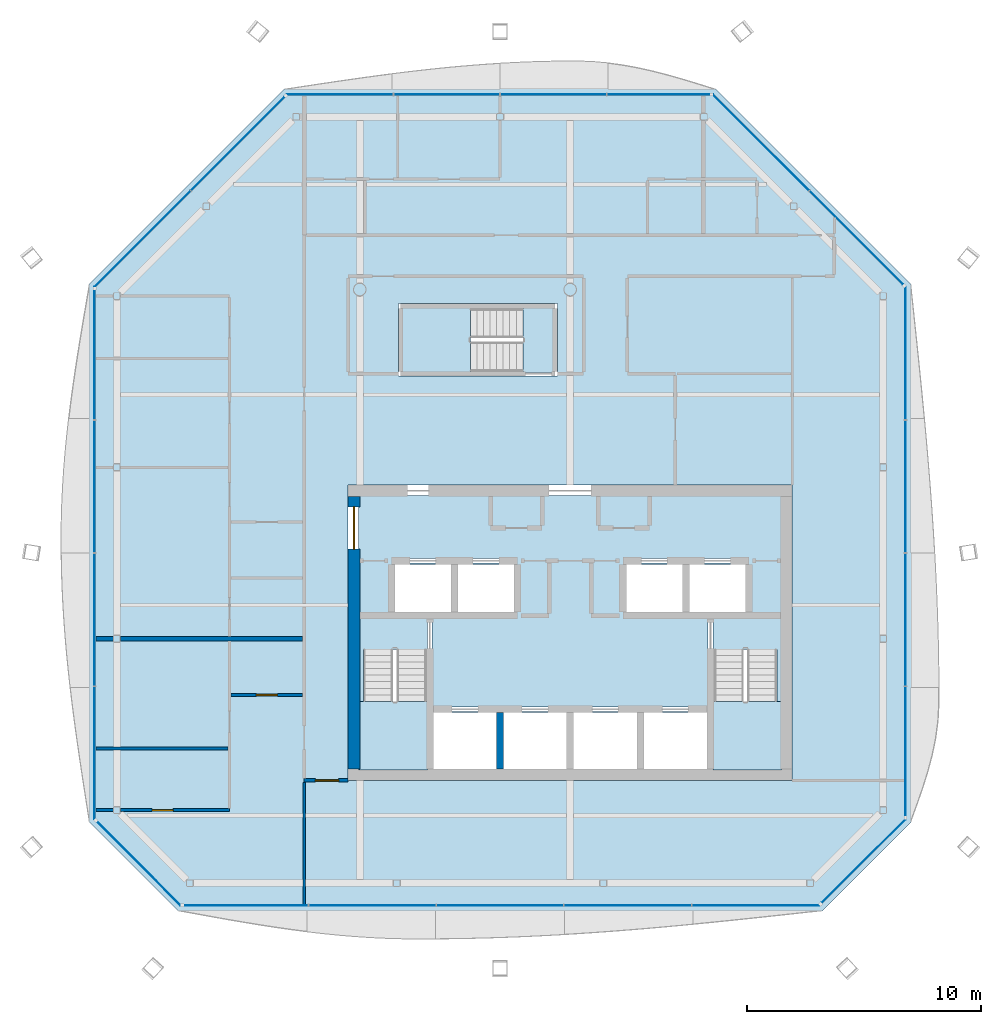
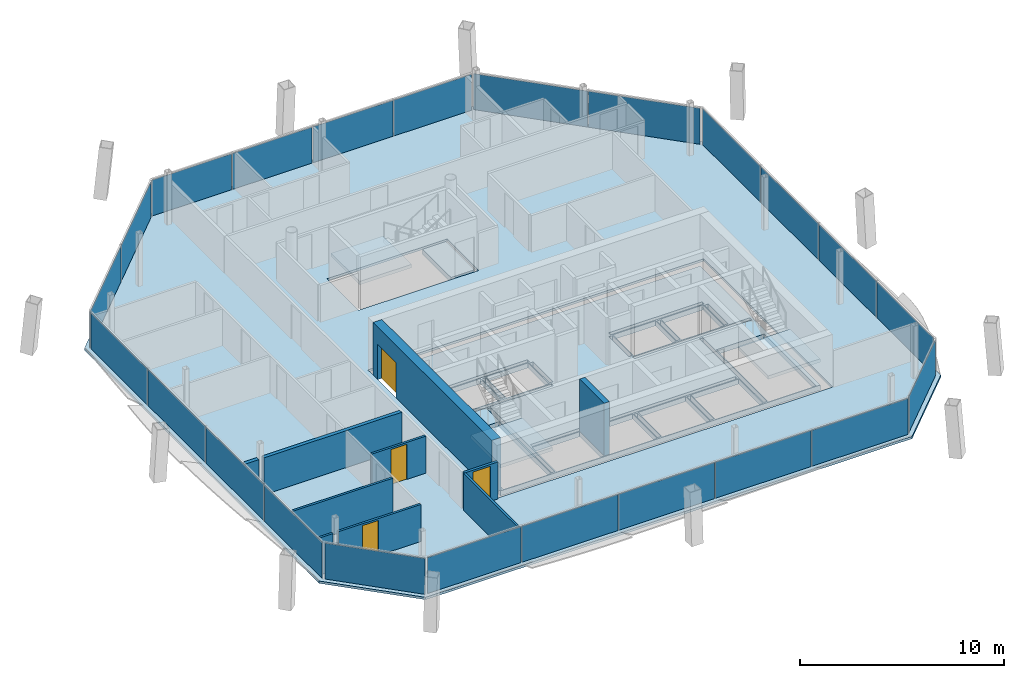
# One storey, part 9 of 16: 23 plates, 10 walls, 6 slabs, 4 doors, 4 openings, 11 elements without a shape of their own.
"""IFC4 building model written with IfcOpenShell, lengths in metres."""

from ifc_helpers import new_model, si_unit, direction, frame, frame_2d, origin, origin_2d, place, context, subcontext, project, spatial, polyline, rectangle, outline, extrude, material, layer, layer_set, type_object, element, fill, aggregate, save


model = new_model("IFC4")

# Units and contexts
model_context = context("Model", 3, precision=1e-05, world=origin(), true_north=direction((0.0, 1.0)))
body_context = subcontext(model_context, "Body", "Model", "MODEL_VIEW")
ifc_project = project(units=[si_unit("LENGTHUNIT", "METRE"), si_unit("AREAUNIT", "SQUARE_METRE"), si_unit("VOLUMEUNIT", "CUBIC_METRE"), si_unit("PLANEANGLEUNIT", "RADIAN"), si_unit("MASSUNIT", "GRAM", prefix="KILO")], contexts=[model_context])

# Site, building, storey
site_placement = place(None, origin())
site = spatial("IfcSite", under=ifc_project, at=site_placement, CompositionType="ELEMENT")
building_placement = place(site_placement, origin())
building = spatial("IfcBuilding", under=site, at=building_placement, Name="Tskaro Facet Tower", CompositionType="ELEMENT")
storey_placement = place(building_placement, frame((0.0, 0.0, 251.85009765625)))
storey = spatial("IfcBuildingStorey", under=building, at=storey_placement, Name="L66", CompositionType="ELEMENT", Elevation=251.85009765625)

# Slab
ifc_material_1 = material(Name="Concrete C30/37", Category="concrete")
ifc_layer_1 = layer(ifc_material_1, 0.139892578125, Name="Concrete C30/37")
ifc_layer_set_1 = layer_set([ifc_layer_1], Name="Concrete C30/37")
slab_type_1 = type_object("IfcSlabType", Name="Composite deck floor slab", PredefinedType="FLOOR", material=ifc_layer_set_1)
slab_1_placement = place(storey_placement, frame((0.0, 0.0, -0.14013671875)))
element("IfcSlab", 1, at=slab_1_placement, inside=storey, type_object=slab_type_1, Name="Floor slab FS3 L66", PredefinedType="FLOOR", context=body_context, shape_type="SweptSolid", body=[
    extrude(outline(polyline([(-16.764892578125, -17.591064453125), (10.764892578125, -17.591064453125), (14.591064453125, -13.764892578125), (14.591064453125, 9.221923828125), (6.221923828125, 17.591064453125), (-12.221923828125, 17.591064453125), (-20.591064453125, 9.221923828125), (-20.591064453125, -13.764892578125), (-16.764892578125, -17.591064453125)]), holes=[polyline([(-9.5, -12.0), (9.5, -12.0), (9.5, 0.64990234375), (-9.5, 0.64990234375), (-9.5, -12.0)]), polyline([(-7.35009765625, 5.300048828125), (-0.550048828125, 5.300048828125), (-0.550048828125, 8.39990234375), (-7.35009765625, 8.39990234375), (-7.35009765625, 5.300048828125)])]), origin(), (0.0, 0.0, 1.0), 0.14013671875),
])

# Curtain wall, plates
ifc_material_2 = material(Name="Bronze anodised aluminium 6063-T6", Category="aluminium")
curtain_wall_type = type_object("IfcCurtainWallType", Name="Bronze residence curtain wall (FW3)", PredefinedType="NOTDEFINED", material=ifc_material_2)
curtain_wall_1_placement = place(storey_placement, origin())
curtain_wall_1 = element("IfcCurtainWall", 2, at=curtain_wall_1_placement, inside=storey, type_object=curtain_wall_type, Name="FW3 south facet L66", PredefinedType="NOTDEFINED")
ifc_material_3 = material(Name="Bronze low-iron glass", Category="glass")
ifc_layer_2 = layer(ifc_material_3, 0.028076171875, Name="Bronze low-iron glass")
ifc_layer_set_2 = layer_set([ifc_layer_2], Name="Bronze low-iron glass")
plate_type = type_object("IfcPlateType", Name="FW3 bronze-tinted unit glazing 28", PredefinedType="CURTAIN_PANEL", material=ifc_layer_set_2)
plate_1_placement = place(storey_placement, frame((-13.871337890625, -17.341064453125, 0.0), z_axis=(0.0, 0.0, 1.0), x_axis=(1.0, 0.0, 0.0)))
plate_1 = element("IfcPlate", 3, at=plate_1_placement, type_object=plate_type, Name="FW3 south glazing 1.1", PredefinedType="CURTAIN_PANEL", context=body_context, shape_type="SweptSolid", body=[
    extrude(rectangle(XDim=5.29931640625, YDim=0.028076171875, at=origin_2d()), origin(), (0.0, 0.0, 1.0), 2.14990234375),
])
plate_2_placement = place(storey_placement, frame((-8.46435546875, -17.341064453125, 0.0), z_axis=(0.0, 0.0, 1.0), x_axis=(1.0, 0.0, 0.0)))
plate_2 = element("IfcPlate", 4, at=plate_2_placement, type_object=plate_type, Name="FW3 south glazing 2.1", PredefinedType="CURTAIN_PANEL", context=body_context, shape_type="SweptSolid", body=[
    extrude(rectangle(XDim=5.414306640625, YDim=0.028076171875, at=origin_2d()), origin(), (0.0, 0.0, 1.0), 2.14990234375),
])
plate_3_placement = place(storey_placement, frame((-3.0, -17.341064453125, 0.0), z_axis=(0.0, 0.0, 1.0), x_axis=(1.0, 0.0, 0.0)))
plate_3 = element("IfcPlate", 5, at=plate_3_placement, type_object=plate_type, Name="FW3 south glazing 3.1", PredefinedType="CURTAIN_PANEL", context=body_context, shape_type="SweptSolid", body=[
    extrude(rectangle(XDim=5.414306640625, YDim=0.028076171875, at=origin_2d()), origin(), (0.0, 0.0, 1.0), 2.14990234375),
])
plate_4_placement = place(storey_placement, frame((2.46435546875, -17.341064453125, 0.0), z_axis=(0.0, 0.0, 1.0), x_axis=(1.0, 0.0, 0.0)))
plate_4 = element("IfcPlate", 6, at=plate_4_placement, type_object=plate_type, Name="FW3 south glazing 4.1", PredefinedType="CURTAIN_PANEL", context=body_context, shape_type="SweptSolid", body=[
    extrude(rectangle(XDim=5.414306640625, YDim=0.028076171875, at=origin_2d()), origin(), (0.0, 0.0, 1.0), 2.14990234375),
])
plate_5_placement = place(storey_placement, frame((7.94140625, -17.341064453125, 0.0), z_axis=(0.0, 0.0, 1.0), x_axis=(1.0, 0.0, 0.0)))
plate_5 = element("IfcPlate", 7, at=plate_5_placement, type_object=plate_type, Name="FW3 south glazing 5.1", PredefinedType="CURTAIN_PANEL", context=body_context, shape_type="SweptSolid", body=[
    extrude(rectangle(XDim=5.439453125, YDim=0.028076171875, at=origin_2d()), origin(), (0.0, 0.0, 1.0), 2.14990234375),
])
aggregate(curtain_wall_1, [plate_1, plate_2, plate_3, plate_4, plate_5])

# Curtain wall, plate
curtain_wall_2_placement = place(storey_placement, origin())
curtain_wall_2 = element("IfcCurtainWall", 8, at=curtain_wall_2_placement, inside=storey, type_object=curtain_wall_type, Name="FW3 south-east facet L66", PredefinedType="NOTDEFINED")
plate_6_placement = place(storey_placement, frame((12.550537109375, -15.451416015625, 0.0), z_axis=(0.0, 0.0, 1.0), x_axis=(0.707106781187, 0.707106781187, 0.0)))
plate_6 = element("IfcPlate", 9, at=plate_6_placement, type_object=plate_type, Name="FW3 south-east glazing 1.1", PredefinedType="CURTAIN_PANEL", context=body_context, shape_type="SweptSolid", body=[
    extrude(rectangle(XDim=5.064208984375, YDim=0.028076171875, at=origin_2d()), origin(), (0.0, 0.0, 1.0), 2.14990234375),
])
aggregate(curtain_wall_2, [plate_6])

# Curtain wall, plates
curtain_wall_3_placement = place(storey_placement, origin())
curtain_wall_3 = element("IfcCurtainWall", 10, at=curtain_wall_3_placement, inside=storey, type_object=curtain_wall_type, Name="FW3 east facet L66", PredefinedType="NOTDEFINED")
plate_7_placement = place(storey_placement, frame((14.341064453125, -10.756103515625, 0.0), z_axis=(0.0, 0.0, 1.0), x_axis=(0.0, 1.0, 0.0)))
plate_7 = element("IfcPlate", 11, at=plate_7_placement, type_object=plate_type, Name="FW3 east glazing 1.1", PredefinedType="CURTAIN_PANEL", context=body_context, shape_type="SweptSolid", body=[
    extrude(rectangle(XDim=5.52978515625, YDim=0.028076171875, at=origin_2d()), origin(), (0.0, 0.0, 1.0), 2.14990234375),
])
plate_8_placement = place(storey_placement, frame((14.341064453125, -5.118896484375, 0.0), z_axis=(0.0, 0.0, 1.0), x_axis=(0.0, 1.0, 0.0)))
plate_8 = element("IfcPlate", 12, at=plate_8_placement, type_object=plate_type, Name="FW3 east glazing 2.1", PredefinedType="CURTAIN_PANEL", context=body_context, shape_type="SweptSolid", body=[
    extrude(rectangle(XDim=5.644775390625, YDim=0.028076171875, at=origin_2d()), origin(), (0.0, 0.0, 1.0), 2.14990234375),
])
plate_9_placement = place(storey_placement, frame((14.341064453125, 0.575927734375, 0.0), z_axis=(0.0, 0.0, 1.0), x_axis=(0.0, 1.0, 0.0)))
plate_9 = element("IfcPlate", 13, at=plate_9_placement, type_object=plate_type, Name="FW3 east glazing 3.1", PredefinedType="CURTAIN_PANEL", context=body_context, shape_type="SweptSolid", body=[
    extrude(rectangle(XDim=5.644775390625, YDim=0.028076171875, at=origin_2d()), origin(), (0.0, 0.0, 1.0), 2.14990234375),
])
plate_10_placement = place(storey_placement, frame((14.341064453125, 6.283203125, 0.0), z_axis=(0.0, 0.0, 1.0), x_axis=(0.0, 1.0, 0.0)))
plate_10 = element("IfcPlate", 14, at=plate_10_placement, type_object=plate_type, Name="FW3 east glazing 4.1", PredefinedType="CURTAIN_PANEL", context=body_context, shape_type="SweptSolid", body=[
    extrude(rectangle(XDim=5.669677734375, YDim=0.028076171875, at=origin_2d()), origin(), (0.0, 0.0, 1.0), 2.14990234375),
])
aggregate(curtain_wall_3, [plate_7, plate_8, plate_9, plate_10])

curtain_wall_4_placement = place(storey_placement, origin())
curtain_wall_4 = element("IfcCurtainWall", 15, at=curtain_wall_4_placement, inside=storey, type_object=curtain_wall_type, Name="FW3 north-east facet L66", PredefinedType="NOTDEFINED")
plate_11_placement = place(storey_placement, frame((12.24462890625, 11.21435546875, 0.0), z_axis=(0.0, 0.0, 1.0), x_axis=(-0.707106781187, 0.707106781187, 0.0)))
plate_11 = element("IfcPlate", 16, at=plate_11_placement, type_object=plate_type, Name="FW3 north-east glazing 1.1", PredefinedType="CURTAIN_PANEL", context=body_context, shape_type="SweptSolid", body=[
    extrude(rectangle(XDim=5.649658203125, YDim=0.028076171875, at=origin_2d()), origin(), (0.0, 0.0, 1.0), 2.14990234375),
])
plate_12_placement = place(storey_placement, frame((8.164794921875, 15.294189453125, 0.0), z_axis=(0.0, 0.0, 1.0), x_axis=(-0.707106781187, 0.707106781187, 0.0)))
plate_12 = element("IfcPlate", 17, at=plate_12_placement, type_object=plate_type, Name="FW3 north-east glazing 2.1", PredefinedType="CURTAIN_PANEL", context=body_context, shape_type="SweptSolid", body=[
    extrude(rectangle(XDim=5.78955078125, YDim=0.028076171875, at=origin_2d()), origin(), (0.0, 0.0, 1.0), 2.14990234375),
])
aggregate(curtain_wall_4, [plate_11, plate_12])

curtain_wall_5_placement = place(storey_placement, origin())
curtain_wall_5 = element("IfcCurtainWall", 18, at=curtain_wall_5_placement, inside=storey, type_object=curtain_wall_type, Name="FW3 north facet L66", PredefinedType="NOTDEFINED")
plate_13_placement = place(storey_placement, frame((3.781005859375, 17.341064453125, 0.0), z_axis=(0.0, 0.0, 1.0), x_axis=(-1.0, 0.0, 0.0)))
plate_13 = element("IfcPlate", 19, at=plate_13_placement, type_object=plate_type, Name="FW3 north glazing 1.1", PredefinedType="CURTAIN_PANEL", context=body_context, shape_type="SweptSolid", body=[
    extrude(rectangle(XDim=4.39404296875, YDim=0.028076171875, at=origin_2d()), origin(), (0.0, 0.0, 1.0), 2.14990234375),
])
plate_14_placement = place(storey_placement, frame((-0.720458984375, 17.341064453125, 0.0), z_axis=(0.0, 0.0, 1.0), x_axis=(-1.0, 0.0, 0.0)))
plate_14 = element("IfcPlate", 20, at=plate_14_placement, type_object=plate_type, Name="FW3 north glazing 2.1", PredefinedType="CURTAIN_PANEL", context=body_context, shape_type="SweptSolid", body=[
    extrude(rectangle(XDim=4.509033203125, YDim=0.028076171875, at=origin_2d()), origin(), (0.0, 0.0, 1.0), 2.14990234375),
])
plate_15_placement = place(storey_placement, frame((-5.279541015625, 17.341064453125, 0.0), z_axis=(0.0, 0.0, 1.0), x_axis=(-1.0, 0.0, 0.0)))
plate_15 = element("IfcPlate", 21, at=plate_15_placement, type_object=plate_type, Name="FW3 north glazing 3.1", PredefinedType="CURTAIN_PANEL", context=body_context, shape_type="SweptSolid", body=[
    extrude(rectangle(XDim=4.509033203125, YDim=0.028076171875, at=origin_2d()), origin(), (0.0, 0.0, 1.0), 2.14990234375),
])
plate_16_placement = place(storey_placement, frame((-9.85107421875, 17.341064453125, 0.0), z_axis=(0.0, 0.0, 1.0), x_axis=(-1.0, 0.0, 0.0)))
plate_16 = element("IfcPlate", 22, at=plate_16_placement, type_object=plate_type, Name="FW3 north glazing 4.1", PredefinedType="CURTAIN_PANEL", context=body_context, shape_type="SweptSolid", body=[
    extrude(rectangle(XDim=4.533935546875, YDim=0.028076171875, at=origin_2d()), origin(), (0.0, 0.0, 1.0), 2.14990234375),
])
aggregate(curtain_wall_5, [plate_13, plate_14, plate_15, plate_16])

curtain_wall_6_placement = place(storey_placement, origin())
curtain_wall_6 = element("IfcCurtainWall", 23, at=curtain_wall_6_placement, inside=storey, type_object=curtain_wall_type, Name="FW3 north-west facet L66", PredefinedType="NOTDEFINED")
plate_17_placement = place(storey_placement, frame((-14.21435546875, 15.24462890625, 0.0), z_axis=(0.0, 0.0, 1.0), x_axis=(-0.707106781187, -0.707106781187, 0.0)))
plate_17 = element("IfcPlate", 24, at=plate_17_placement, type_object=plate_type, Name="FW3 north-west glazing 1.1", PredefinedType="CURTAIN_PANEL", context=body_context, shape_type="SweptSolid", body=[
    extrude(rectangle(XDim=5.649658203125, YDim=0.028076171875, at=origin_2d()), origin(), (0.0, 0.0, 1.0), 2.14990234375),
])
plate_18_placement = place(storey_placement, frame((-18.294189453125, 11.164794921875, 0.0), z_axis=(0.0, 0.0, 1.0), x_axis=(-0.707106781187, -0.707106781187, 0.0)))
plate_18 = element("IfcPlate", 25, at=plate_18_placement, type_object=plate_type, Name="FW3 north-west glazing 2.1", PredefinedType="CURTAIN_PANEL", context=body_context, shape_type="SweptSolid", body=[
    extrude(rectangle(XDim=5.78955078125, YDim=0.028076171875, at=origin_2d()), origin(), (0.0, 0.0, 1.0), 2.14990234375),
])
aggregate(curtain_wall_6, [plate_17, plate_18])

curtain_wall_7_placement = place(storey_placement, origin())
curtain_wall_7 = element("IfcCurtainWall", 26, at=curtain_wall_7_placement, inside=storey, type_object=curtain_wall_type, Name="FW3 west facet L66", PredefinedType="NOTDEFINED")
plate_19_placement = place(storey_placement, frame((-20.341064453125, 6.213134765625, 0.0), z_axis=(0.0, 0.0, 1.0), x_axis=(0.0, -1.0, 0.0)))
plate_19 = element("IfcPlate", 27, at=plate_19_placement, type_object=plate_type, Name="FW3 west glazing 1.1", PredefinedType="CURTAIN_PANEL", context=body_context, shape_type="SweptSolid", body=[
    extrude(rectangle(XDim=5.52978515625, YDim=0.028076171875, at=origin_2d()), origin(), (0.0, 0.0, 1.0), 2.14990234375),
])
plate_20_placement = place(storey_placement, frame((-20.341064453125, 0.575927734375, 0.0), z_axis=(0.0, 0.0, 1.0), x_axis=(0.0, -1.0, 0.0)))
plate_20 = element("IfcPlate", 28, at=plate_20_placement, type_object=plate_type, Name="FW3 west glazing 2.1", PredefinedType="CURTAIN_PANEL", context=body_context, shape_type="SweptSolid", body=[
    extrude(rectangle(XDim=5.644775390625, YDim=0.028076171875, at=origin_2d()), origin(), (0.0, 0.0, 1.0), 2.14990234375),
])
plate_21_placement = place(storey_placement, frame((-20.341064453125, -5.118896484375, 0.0), z_axis=(0.0, 0.0, 1.0), x_axis=(0.0, -1.0, 0.0)))
plate_21 = element("IfcPlate", 29, at=plate_21_placement, type_object=plate_type, Name="FW3 west glazing 3.1", PredefinedType="CURTAIN_PANEL", context=body_context, shape_type="SweptSolid", body=[
    extrude(rectangle(XDim=5.644775390625, YDim=0.028076171875, at=origin_2d()), origin(), (0.0, 0.0, 1.0), 2.14990234375),
])
plate_22_placement = place(storey_placement, frame((-20.341064453125, -10.826171875, 0.0), z_axis=(0.0, 0.0, 1.0), x_axis=(0.0, -1.0, 0.0)))
plate_22 = element("IfcPlate", 30, at=plate_22_placement, type_object=plate_type, Name="FW3 west glazing 4.1", PredefinedType="CURTAIN_PANEL", context=body_context, shape_type="SweptSolid", body=[
    extrude(rectangle(XDim=5.669677734375, YDim=0.028076171875, at=origin_2d()), origin(), (0.0, 0.0, 1.0), 2.14990234375),
])
aggregate(curtain_wall_7, [plate_19, plate_20, plate_21, plate_22])

# Curtain wall, plate
curtain_wall_8_placement = place(storey_placement, origin())
curtain_wall_8 = element("IfcCurtainWall", 31, at=curtain_wall_8_placement, inside=storey, type_object=curtain_wall_type, Name="FW3 south-west facet L66", PredefinedType="NOTDEFINED")
plate_23_placement = place(storey_placement, frame((-18.451416015625, -15.550537109375, 0.0), z_axis=(0.0, 0.0, 1.0), x_axis=(0.707106781187, -0.707106781187, 0.0)))
plate_23 = element("IfcPlate", 32, at=plate_23_placement, type_object=plate_type, Name="FW3 south-west glazing 1.1", PredefinedType="CURTAIN_PANEL", context=body_context, shape_type="SweptSolid", body=[
    extrude(rectangle(XDim=5.064208984375, YDim=0.028076171875, at=origin_2d()), origin(), (0.0, 0.0, 1.0), 2.14990234375),
])
aggregate(curtain_wall_8, [plate_23])

# Stair, slab
ifc_material_4 = material(Name="Concrete C40/50", Category="concrete")
stair_type = type_object("IfcStairType", Name="ST-TWR", PredefinedType="HALF_TURN_STAIR", material=ifc_material_4)
stair_1_placement = place(storey_placement, origin())
stair_1 = element("IfcStair", 33, at=stair_1_placement, inside=storey, type_object=stair_type, Name="L66 Exit stair 1", PredefinedType="HALF_TURN_STAIR")
ifc_layer_3 = layer(ifc_material_4, 0.199951171875, Name="Concrete C40/50")
ifc_layer_set_3 = layer_set([ifc_layer_3], Name="Concrete C40/50")
slab_type_2 = type_object("IfcSlabType", Name="SL-LANDING", PredefinedType="LANDING", material=ifc_layer_set_3)
slab_2_placement = place(storey_placement, frame((0.0, 0.0, 1.375)))
slab_2 = element("IfcSlab", 34, at=slab_2_placement, type_object=slab_type_2, Name="ST-1 landing 1", PredefinedType="LANDING", context=body_context, shape_type="SweptSolid", body=[
    extrude(outline(polyline([(-9.050048828125, -11.550048828125), (-6.10009765625, -11.550048828125), (-6.10009765625, -8.614990234375), (-9.050048828125, -8.614990234375), (-9.050048828125, -11.550048828125)])), origin(), (0.0, 0.0, 1.0), 0.199951171875),
])
aggregate(stair_1, [slab_2])

stair_2_placement = place(storey_placement, origin())
stair_2 = element("IfcStair", 35, at=stair_2_placement, inside=storey, type_object=stair_type, Name="L66 Exit stair 2", PredefinedType="HALF_TURN_STAIR")
slab_3_placement = place(storey_placement, frame((0.0, 0.0, 1.375)))
slab_3 = element("IfcSlab", 36, at=slab_3_placement, type_object=slab_type_2, Name="ST-2 landing 1", PredefinedType="LANDING", context=body_context, shape_type="SweptSolid", body=[
    extrude(outline(polyline([(6.10009765625, -11.550048828125), (9.050048828125, -11.550048828125), (9.050048828125, -8.614990234375), (6.10009765625, -8.614990234375), (6.10009765625, -11.550048828125)])), origin(), (0.0, 0.0, 1.0), 0.199951171875),
])
aggregate(stair_2, [slab_3])

stair_3_placement = place(storey_placement, origin())
stair_3 = element("IfcStair", 37, at=stair_3_placement, inside=storey, type_object=stair_type, Name="L66 Exit stair 3", PredefinedType="HALF_TURN_STAIR")
slab_4_placement = place(storey_placement, frame((0.0, 0.0, 1.375)))
slab_4 = element("IfcSlab", 38, at=slab_4_placement, type_object=slab_type_2, Name="ST-3 landing 1", PredefinedType="LANDING", context=body_context, shape_type="SweptSolid", body=[
    extrude(outline(polyline([(-7.199951171875, 5.449951171875), (-4.264892578125, 5.449951171875), (-4.264892578125, 8.25), (-7.199951171875, 8.25), (-7.199951171875, 5.449951171875)])), origin(), (0.0, 0.0, 1.0), 0.199951171875),
])
aggregate(stair_3, [slab_4])

# Slabs
ifc_material_5 = material(Name="Concrete C60/75", Category="concrete")
ifc_layer_4 = layer(ifc_material_5, 0.300048828125, Name="Concrete C60/75")
ifc_layer_set_4 = layer_set([ifc_layer_4], Name="Concrete C60/75")
slab_type_3 = type_object("IfcSlabType", Name="SLAB-CORE", PredefinedType="FLOOR", material=ifc_layer_set_4)
slab_5_placement = place(storey_placement, frame((0.0, 0.0, -0.300048828125)))
element("IfcSlab", 39, at=slab_5_placement, inside=storey, type_object=slab_type_3, Name="Core floor slab 1", PredefinedType="FLOOR", context=body_context, shape_type="SweptSolid", body=[
    extrude(outline(polyline([(-9.050048828125, 0.199951171875), (9.050048828125, 0.199951171875), (9.050048828125, 0.10009765625), (9.050048828125, -11.449951171875), (9.050048828125, -11.550048828125), (-9.050048828125, -11.550048828125), (-9.050048828125, -11.449951171875), (-9.050048828125, 0.10009765625), (-9.050048828125, 0.199951171875)]), holes=[polyline([(-5.85009765625, -9.10009765625), (-5.85009765625, -11.5), (-3.14990234375, -11.5), (-3.14990234375, -9.10009765625), (-5.85009765625, -9.10009765625)]), polyline([(-3.10009765625, -11.449951171875), (-2.89990234375, -11.449951171875), (-2.89990234375, -9.14990234375), (-3.10009765625, -9.14990234375), (-3.10009765625, -11.449951171875)]), polyline([(-2.85009765625, -9.10009765625), (-2.85009765625, -11.5), (-0.14990234375, -11.5), (-0.14990234375, -9.10009765625), (-2.85009765625, -9.10009765625)]), polyline([(-6.10009765625, -11.449951171875), (-5.89990234375, -11.449951171875), (-5.89990234375, -5.14990234375), (-6.10009765625, -5.14990234375), (-6.10009765625, -11.449951171875)]), polyline([(-8.949951171875, -5.050048828125), (-2.300048828125, -5.050048828125), (-2.300048828125, -4.85009765625), (-8.949951171875, -4.85009765625), (-8.949951171875, -5.050048828125)]), polyline([(-7.75, -4.75), (-7.550048828125, -4.75), (-7.550048828125, -2.800048828125), (-7.75, -2.800048828125), (-7.75, -4.75)]), polyline([(-7.5, -2.75), (-7.5, -4.800048828125), (-5.10009765625, -4.800048828125), (-5.10009765625, -2.75), (-7.5, -2.75)]), polyline([(-5.050048828125, -4.75), (-4.85009765625, -4.75), (-4.85009765625, -2.800048828125), (-5.050048828125, -2.800048828125), (-5.050048828125, -4.75)]), polyline([(-2.39990234375, -2.75), (-4.800048828125, -2.75), (-4.800048828125, -4.800048828125), (-2.39990234375, -4.800048828125), (-2.39990234375, -2.75)]), polyline([(-2.35009765625, -4.75), (-2.14990234375, -4.75), (-2.14990234375, -2.800048828125), (-2.35009765625, -2.800048828125), (-2.35009765625, -4.75)]), polyline([(-7.60009765625, -2.699951171875), (-2.300048828125, -2.699951171875), (-2.300048828125, -2.5), (-7.60009765625, -2.5), (-7.60009765625, -2.699951171875)]), polyline([(-0.10009765625, -11.449951171875), (0.10009765625, -11.449951171875), (0.10009765625, -9.14990234375), (-0.10009765625, -9.14990234375), (-0.10009765625, -11.449951171875)]), polyline([(0.14990234375, -9.10009765625), (0.14990234375, -11.5), (2.85009765625, -11.5), (2.85009765625, -9.10009765625), (0.14990234375, -9.10009765625)]), polyline([(2.89990234375, -11.449951171875), (3.10009765625, -11.449951171875), (3.10009765625, -9.14990234375), (2.89990234375, -9.14990234375), (2.89990234375, -11.449951171875)]), polyline([(3.14990234375, -9.10009765625), (3.14990234375, -11.5), (5.85009765625, -11.5), (5.85009765625, -9.10009765625), (3.14990234375, -9.10009765625)]), polyline([(-5.800048828125, -9.050048828125), (5.800048828125, -9.050048828125), (5.800048828125, -8.85009765625), (-5.800048828125, -8.85009765625), (-5.800048828125, -9.050048828125)]), polyline([(5.89990234375, -11.449951171875), (6.10009765625, -11.449951171875), (6.10009765625, -5.14990234375), (5.89990234375, -5.14990234375), (5.89990234375, -11.449951171875)]), polyline([(2.300048828125, -5.050048828125), (8.949951171875, -5.050048828125), (8.949951171875, -4.85009765625), (2.300048828125, -4.85009765625), (2.300048828125, -5.050048828125)]), polyline([(2.14990234375, -4.75), (2.35009765625, -4.75), (2.35009765625, -2.800048828125), (2.14990234375, -2.800048828125), (2.14990234375, -4.75)]), polyline([(2.39990234375, -4.800048828125), (4.800048828125, -4.800048828125), (4.800048828125, -2.75), (2.39990234375, -2.75), (2.39990234375, -4.800048828125)]), polyline([(4.85009765625, -4.75), (5.050048828125, -4.75), (5.050048828125, -2.800048828125), (4.85009765625, -2.800048828125), (4.85009765625, -4.75)]), polyline([(5.10009765625, -4.800048828125), (7.5, -4.800048828125), (7.5, -2.75), (5.10009765625, -2.75), (5.10009765625, -4.800048828125)]), polyline([(7.550048828125, -4.75), (7.75, -4.75), (7.75, -2.800048828125), (7.550048828125, -2.800048828125), (7.550048828125, -4.75)]), polyline([(2.300048828125, -2.699951171875), (7.60009765625, -2.699951171875), (7.60009765625, -2.5), (2.300048828125, -2.5), (2.300048828125, -2.699951171875)]), polyline([(-8.85009765625, -11.5), (-6.14990234375, -11.5), (-6.14990234375, -6.39501953125), (-8.85009765625, -6.39501953125), (-8.85009765625, -11.5)]), polyline([(6.14990234375, -6.39501953125), (6.14990234375, -11.5), (8.85009765625, -11.5), (8.85009765625, -6.39501953125), (6.14990234375, -6.39501953125)])]), origin(), (0.0, 0.0, 1.0), 0.300048828125),
])
slab_6_placement = place(storey_placement, frame((0.0, 0.0, -0.300048828125)))
element("IfcSlab", 40, at=slab_6_placement, inside=storey, type_object=slab_type_3, Name="Stair 3 floor landing 1", PredefinedType="FLOOR", context=body_context, shape_type="SweptSolid", body=[
    extrude(outline(polyline([(-2.02490234375, 5.449951171875), (-0.699951171875, 5.449951171875), (-0.699951171875, 8.25), (-2.02490234375, 8.25), (-2.02490234375, 5.449951171875)])), origin(), (0.0, 0.0, 1.0), 0.300048828125),
])

# Wall
ifc_layer_5 = layer(ifc_material_5, 0.300048828125, Name="Concrete C60/75")
ifc_layer_set_5 = layer_set([ifc_layer_5], Name="Concrete C60/75")
wall_type_1 = type_object("IfcWallType", Name="CORE-SHAFT", PredefinedType="SHEAR", material=ifc_layer_set_5)
wall_1_placement = place(storey_placement, frame((-3.0, -11.5, 0.0), z_axis=(0.0, 0.0, 1.0), x_axis=(0.0, 1.0, 0.0)))
element("IfcWall", 41, at=wall_1_placement, inside=storey, type_object=wall_type_1, Name="Shaft wall W051", PredefinedType="SHEAR", context=body_context, shape_type="SweptSolid", body=[
    extrude(rectangle(XDim=2.39990234375, YDim=0.300048828125, at=frame_2d((1.199951171875, 0.0))), origin(), (0.0, 0.0, 1.0), 3.14990234375),
])

# Wall, opening, door
ifc_layer_6 = layer(ifc_material_4, 0.5, Name="Concrete C40/50")
ifc_layer_set_6 = layer_set([ifc_layer_6], Name="Concrete C40/50")
wall_type_2 = type_object("IfcWallType", Name="Core wall 500", PredefinedType="SHEAR", material=ifc_layer_set_6)
wall_2_placement = place(storey_placement, frame((-9.25, -11.5, 0.0), z_axis=(0.0, 0.0, 1.0), x_axis=(0.0, 1.0, 0.0)))
wall_2 = element("IfcWall", 42, at=wall_2_placement, inside=storey, type_object=wall_type_2, Name="Core wall CW-Z3W", PredefinedType="SHEAR", context=body_context, shape_type="SweptSolid", body=[
    extrude(rectangle(XDim=11.64990234375, YDim=0.5, at=frame_2d((5.824951171875, 0.0))), origin(), (0.0, 0.0, 1.0), 3.14990234375),
])
opening_1_placement = place(wall_2_placement, frame((9.39990234375, 0.0, 0.0)))
opening_1 = element("IfcOpeningElement", 43, at=opening_1_placement, cuts=wall_2, Name="Opening T19-D11", PredefinedType="OPENING", context=body_context, shape_type="SweptSolid", body=[
    extrude(rectangle(XDim=1.800048828125, YDim=2.10009765625, at=frame_2d((0.89990234375, 1.050048828125))), frame((0.0, 0.260009765625, 0.0), z_axis=(0.0, -1.0, 0.0), x_axis=(1.0, 0.0, 0.0)), (0.0, 0.0, 1.0), 0.52001953125),
])
ifc_material_6 = material(Name="Steel", Category="steel")
door_type_1 = type_object("IfcDoorType", Name="D-CORE-PAIR", OperationType="NOTDEFINED", PredefinedType="DOOR", material=ifc_material_6)
door_1_placement = place(opening_1_placement, origin())
door_1 = element("IfcDoor", 44, at=door_1_placement, inside=storey, type_object=door_type_1, Name="Door T19-D11", OperationType="DOUBLE_DOOR_SINGLE_SWING", OverallHeight=2.10009765625, OverallWidth=1.800048828125, PredefinedType="DOOR", context=body_context, shape_type="SweptSolid", body=[
    extrude(rectangle(XDim=1.800048828125, YDim=2.10009765625, at=frame_2d((0.89990234375, 1.050048828125))), frame((0.0, 0.02490234375, 0.0), z_axis=(0.0, -1.0, 0.0), x_axis=(1.0, 0.0, 0.0)), (0.0, 0.0, 1.0), 0.050048828125),
])
fill(opening_1, door_1)

# Wall
ifc_material_7 = material(Name="Gypsum board on steel studs", Category="steel")
ifc_layer_7 = layer(ifc_material_7, 0.125, Name="Gypsum board on steel studs")
ifc_layer_set_7 = layer_set([ifc_layer_7], Name="Gypsum board on steel studs")
wall_type_3 = type_object("IfcWallType", Name="PART", PredefinedType="PARTITIONING", material=ifc_layer_set_7)
wall_3_placement = place(storey_placement, frame((-20.2900390625, -13.27001953125, 0.0), z_axis=(0.0, 0.0, 1.0), x_axis=(1.0, 0.0, 0.0)))
element("IfcWall", 45, at=wall_3_placement, inside=storey, type_object=wall_type_3, Name="Partition W001", PredefinedType="PARTITIONING", context=body_context, shape_type="SweptSolid", body=[
    extrude(rectangle(XDim=0.7490234375, YDim=0.125, at=frame_2d((0.37451171875, 0.0))), origin(), (0.0, 0.0, 1.0), 2.2099609375),
])

# Wall, opening, door
wall_4_placement = place(storey_placement, frame((-19.240966796875, -13.27001953125, 0.0), z_axis=(0.0, 0.0, 1.0), x_axis=(1.0, 0.0, 0.0)))
wall_4 = element("IfcWall", 46, at=wall_4_placement, inside=storey, type_object=wall_type_3, Name="Partition W002", PredefinedType="PARTITIONING", context=body_context, shape_type="SweptSolid", body=[
    extrude(rectangle(XDim=4.666015625, YDim=0.125, at=frame_2d((2.3330078125, 0.0))), origin(), (0.0, 0.0, 1.0), 2.2099609375),
])
opening_2_placement = place(wall_4_placement, frame((1.3583984375, 0.0, 0.0)))
opening_2 = element("IfcOpeningElement", 47, at=opening_2_placement, cuts=wall_4, Name="Opening T19-D01", PredefinedType="OPENING", context=body_context, shape_type="SweptSolid", body=[
    extrude(rectangle(XDim=0.89990234375, YDim=2.10009765625, at=frame_2d((0.449951171875, 1.050048828125))), frame((0.0, 0.072509765625, 0.0), z_axis=(0.0, -1.0, 0.0), x_axis=(1.0, 0.0, 0.0)), (0.0, 0.0, 1.0), 0.14501953125),
])
ifc_material_8 = material(Name="Timber", Category="wood")
door_type_2 = type_object("IfcDoorType", Name="D-ROOM", OperationType="NOTDEFINED", PredefinedType="DOOR", material=ifc_material_8)
door_2_placement = place(opening_2_placement, origin())
door_2 = element("IfcDoor", 48, at=door_2_placement, inside=storey, type_object=door_type_2, Name="Door T19-D01", OperationType="SINGLE_SWING_RIGHT", OverallHeight=2.10009765625, OverallWidth=0.89990234375, PredefinedType="DOOR", context=body_context, shape_type="SweptSolid", body=[
    extrude(rectangle(XDim=0.89990234375, YDim=2.10009765625, at=frame_2d((0.449951171875, 1.050048828125))), frame((0.0, 0.02490234375, 0.0), z_axis=(0.0, -1.0, 0.0), x_axis=(1.0, 0.0, 0.0)), (0.0, 0.0, 1.0), 0.050048828125),
])
fill(opening_2, door_2)

# Wall
wall_5_placement = place(storey_placement, frame((-20.2900390625, -10.639892578125, 0.0), z_axis=(0.0, 0.0, 1.0), x_axis=(1.0, 0.0, 0.0)))
element("IfcWall", 49, at=wall_5_placement, inside=storey, type_object=wall_type_3, Name="Partition W005", PredefinedType="PARTITIONING", context=body_context, shape_type="SweptSolid", body=[
    extrude(rectangle(XDim=5.652587890625, YDim=0.125, at=frame_2d((2.826171875, 0.0))), origin(), (0.0, 0.0, 1.0), 2.2099609375),
])

# Wall, opening, door
wall_6_placement = place(storey_placement, frame((-14.512451171875, -8.340087890625, 0.0), z_axis=(0.0, 0.0, 1.0), x_axis=(1.0, 0.0, 0.0)))
wall_6 = element("IfcWall", 50, at=wall_6_placement, inside=storey, type_object=wall_type_3, Name="Partition W007", PredefinedType="PARTITIONING", context=body_context, shape_type="SweptSolid", body=[
    extrude(rectangle(XDim=3.0625, YDim=0.125, at=frame_2d((1.53125, 0.0))), origin(), (0.0, 0.0, 1.0), 2.2099609375),
])
opening_3_placement = place(wall_6_placement, frame((1.08740234375, 0.0, 0.0)))
opening_3 = element("IfcOpeningElement", 51, at=opening_3_placement, cuts=wall_6, Name="Opening T19-D05", PredefinedType="OPENING", context=body_context, shape_type="SweptSolid", body=[
    extrude(rectangle(XDim=0.89990234375, YDim=2.10009765625, at=frame_2d((0.449951171875, 1.050048828125))), frame((0.0, 0.072509765625, 0.0), z_axis=(0.0, -1.0, 0.0), x_axis=(1.0, 0.0, 0.0)), (0.0, 0.0, 1.0), 0.14501953125),
])
door_3_placement = place(opening_3_placement, origin())
door_3 = element("IfcDoor", 52, at=door_3_placement, inside=storey, type_object=door_type_2, Name="Door T19-D05", OperationType="SINGLE_SWING_LEFT", OverallHeight=2.10009765625, OverallWidth=0.89990234375, PredefinedType="DOOR", context=body_context, shape_type="SweptSolid", body=[
    extrude(rectangle(XDim=0.89990234375, YDim=2.10009765625, at=frame_2d((0.449951171875, 1.050048828125))), frame((0.0, 0.02490234375, 0.0), z_axis=(0.0, -1.0, 0.0), x_axis=(1.0, 0.0, 0.0)), (0.0, 0.0, 1.0), 0.050048828125),
])
fill(opening_3, door_3)

# Wall
wall_7_placement = place(storey_placement, frame((-11.375, -17.2900390625, 0.0), z_axis=(0.0, 0.0, 1.0), x_axis=(0.0, 1.0, 0.0)))
element("IfcWall", 53, at=wall_7_placement, inside=storey, type_object=wall_type_3, Name="Partition W040", PredefinedType="PARTITIONING", context=body_context, shape_type="SweptSolid", body=[
    extrude(rectangle(XDim=5.215087890625, YDim=0.125, at=frame_2d((2.607421875, 0.0))), origin(), (0.0, 0.0, 1.0), 2.2099609375),
])

# Wall, opening, door
ifc_layer_8 = layer(ifc_material_7, 0.14990234375, Name="Gypsum board on steel studs")
ifc_layer_set_8 = layer_set([ifc_layer_8], Name="Gypsum board on steel studs")
wall_type_4 = type_object("IfcWallType", Name="PART-CORR", PredefinedType="PARTITIONING", material=ifc_layer_set_8)
wall_8_placement = place(storey_placement, frame((-9.5, -12.0, 0.0), z_axis=(0.0, 0.0, 1.0), x_axis=(-1.0, 0.0, 0.0)))
wall_8 = element("IfcWall", 54, at=wall_8_placement, inside=storey, type_object=wall_type_4, Name="Corridor wall W003", PredefinedType="PARTITIONING", context=body_context, shape_type="SweptSolid", body=[
    extrude(rectangle(XDim=1.875, YDim=0.14990234375, at=frame_2d((0.9375, 0.0))), origin(), (0.0, 0.0, 1.0), 2.2099609375),
])
opening_4_placement = place(wall_8_placement, frame((0.39990234375, 0.0, 0.0)))
opening_4 = element("IfcOpeningElement", 55, at=opening_4_placement, cuts=wall_8, Name="Opening T19-D02", PredefinedType="OPENING", context=body_context, shape_type="SweptSolid", body=[
    extrude(rectangle(XDim=1.0, YDim=2.10009765625, at=frame_2d((0.5, 1.050048828125))), frame((0.0, 0.0849609375, 0.0), z_axis=(0.0, -1.0, 0.0), x_axis=(1.0, 0.0, 0.0)), (0.0, 0.0, 1.0), 0.169921875),
])
door_type_3 = type_object("IfcDoorType", Name="D-ROOM-WIDE", OperationType="NOTDEFINED", PredefinedType="DOOR", material=ifc_material_8)
door_4_placement = place(opening_4_placement, origin())
door_4 = element("IfcDoor", 56, at=door_4_placement, inside=storey, type_object=door_type_3, Name="Door T19-D02", OperationType="SINGLE_SWING_RIGHT", OverallHeight=2.10009765625, OverallWidth=1.0, PredefinedType="DOOR", context=body_context, shape_type="SweptSolid", body=[
    extrude(rectangle(XDim=1.0, YDim=2.10009765625, at=frame_2d((0.5, 1.050048828125))), frame((0.0, 0.02490234375, 0.0), z_axis=(0.0, -1.0, 0.0), x_axis=(1.0, 0.0, 0.0)), (0.0, 0.0, 1.0), 0.050048828125),
])
fill(opening_4, door_4)

# Walls
ifc_layer_9 = layer(ifc_material_7, 0.199951171875, Name="Gypsum board on steel studs")
ifc_layer_set_9 = layer_set([ifc_layer_9], Name="Gypsum board on steel studs")
wall_type_5 = type_object("IfcWallType", Name="PART-DEMISING", PredefinedType="PARTITIONING", material=ifc_layer_set_9)
wall_9_placement = place(storey_placement, frame((-20.2900390625, -5.93994140625, 0.0), z_axis=(0.0, 0.0, 1.0), x_axis=(1.0, 0.0, 0.0)))
element("IfcWall", 57, at=wall_9_placement, inside=storey, type_object=wall_type_5, Name="Guest room wall W008", PredefinedType="PARTITIONING", context=body_context, shape_type="SweptSolid", body=[
    extrude(rectangle(XDim=0.7490234375, YDim=0.199951171875, at=frame_2d((0.37451171875, 0.0))), origin(), (0.0, 0.0, 1.0), 2.2099609375),
])
wall_10_placement = place(storey_placement, frame((-19.240966796875, -5.93994140625, 0.0), z_axis=(0.0, 0.0, 1.0), x_axis=(1.0, 0.0, 0.0)))
element("IfcWall", 58, at=wall_10_placement, inside=storey, type_object=wall_type_5, Name="Guest room wall W009", PredefinedType="PARTITIONING", context=body_context, shape_type="SweptSolid", body=[
    extrude(rectangle(XDim=7.791015625, YDim=0.199951171875, at=frame_2d((3.8955078125, 0.0))), origin(), (0.0, 0.0, 1.0), 2.2099609375),
])

save(model, "model.ifc")
